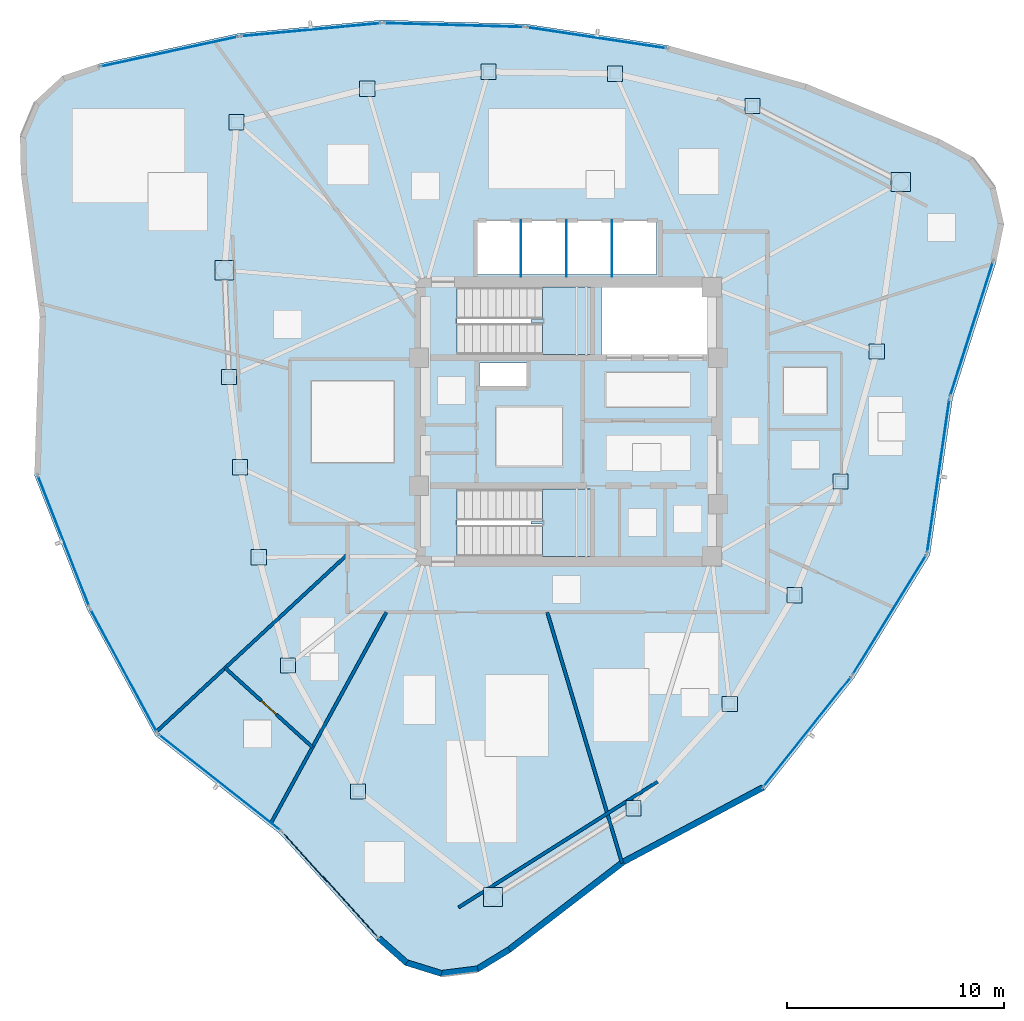
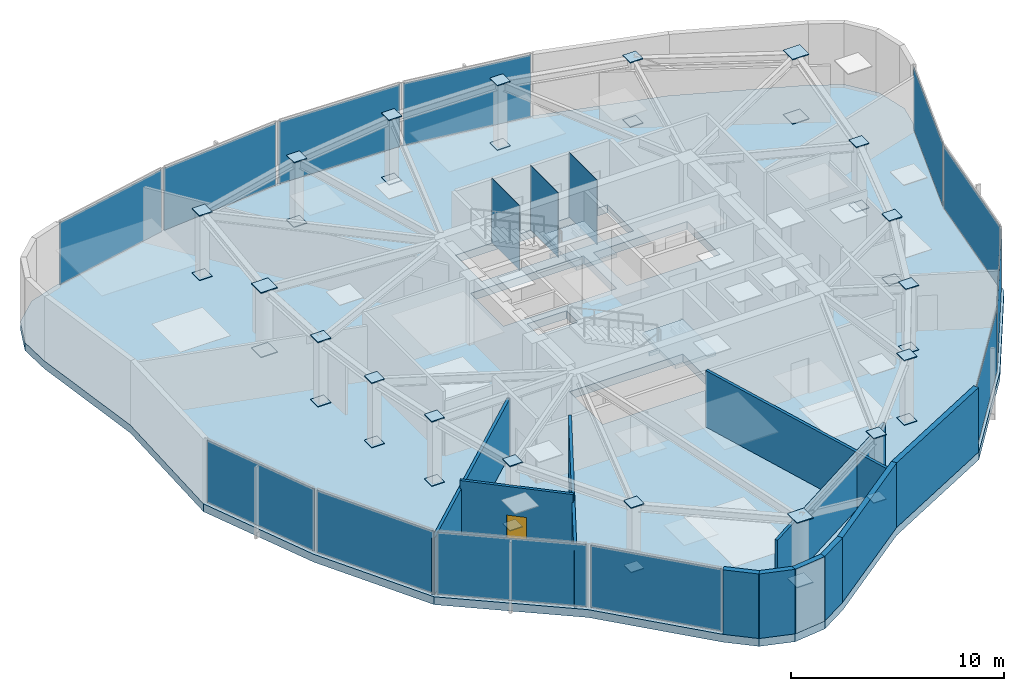
# One storey, part 8 of 14: 51 plates, 11 walls, 3 slabs, 1 door, 1 opening, 14 elements without a shape of their own.
"""IFC4 building model written with IfcOpenShell, lengths in metres."""

import ifcopenshell
import ifcopenshell.guid

model = None  # the IFC model being written
_history = None  # IfcOwnerHistory: only IFC2X3 demands one
_inside = {}  # id of a spatial element -> (the spatial element, [elements in it])
_under = {}  # id of a project, library or spatial element -> (it, [spatial elements below it])
_declared = {}  # id of a project -> (the project, [libraries it declares])
_typed = {}  # id of a type object -> (the type object, [elements of that type])
_made_of = {}  # id of a material, layer set ... -> (it, [elements and type objects made of it])


def new_model(schema):
    """Start an empty IFC model of exactly this schema.

    Asked for "IFC4X3", IfcOpenShell would pick the latest addendum, in which some entities
    have other attributes; the version numbers below select the first issue.
    IFC2X3 requires an IfcOwnerHistory on every rooted entity: one is made here for all.
    """
    global model, _history
    if schema == "IFC4X3":
        model = ifcopenshell.file(schema_version=(4, 3, 0, 0))
    else:
        model = ifcopenshell.file(schema=schema)
    _inside.clear()
    _under.clear()
    _declared.clear()
    _typed.clear()
    _made_of.clear()
    _history = None
    if model.schema == "IFC2X3":
        org = make("IfcOrganization", Name="unknown")
        user = make(
            "IfcPersonAndOrganization",
            ThePerson=make("IfcPerson", FamilyName="unknown"),
            TheOrganization=org,
        )
        app = make(
            "IfcApplication",
            ApplicationDeveloper=org,
            Version="unknown",
            ApplicationFullName="unknown",
            ApplicationIdentifier="unknown",
        )
        _history = make(
            "IfcOwnerHistory",
            OwningUser=user,
            OwningApplication=app,
            ChangeAction="ADDED",
            CreationDate=0,
        )
    return model


def make(cls, **values):
    """One entity of the class cls with the attributes given. An attribute that is None is left unset."""
    return model.create_entity(
        cls, **{name: value for name, value in values.items() if value is not None}
    )


def rooted(cls, **values):
    """An entity with a GlobalId (a new one), such as an element, a storey or a relation."""
    return make(cls, GlobalId=ifcopenshell.guid.new(), OwnerHistory=_history, **values)


def si_unit(unit_type, name, prefix=None):
    """IfcSIUnit, for example si_unit("LENGTHUNIT", "METRE", prefix="MILLI")."""
    return make("IfcSIUnit", UnitType=unit_type, Prefix=prefix, Name=name)


def assignment(units):
    """IfcUnitAssignment: the units of a project."""
    return None if units is None else make("IfcUnitAssignment", Units=units)


def point(xyz):
    """IfcCartesianPoint."""
    return None if xyz is None else make("IfcCartesianPoint", Coordinates=xyz)


def direction(xyz):
    """IfcDirection."""
    return None if xyz is None else make("IfcDirection", DirectionRatios=xyz)


def frame(location, z_axis=None, x_axis=None):
    """IfcAxis2Placement3D, a coordinate frame: its origin and axes. An axis left out is left unset."""
    return make(
        "IfcAxis2Placement3D",
        Location=point(location),
        Axis=direction(z_axis),
        RefDirection=direction(x_axis),
    )


def frame_2d(location, x_axis=None):
    """IfcAxis2Placement2D, a coordinate frame in the plane: its origin and x axis."""
    return make(
        "IfcAxis2Placement2D", Location=point(location), RefDirection=direction(x_axis)
    )


def origin():
    """The frame at (0, 0, 0) with its axes left unset."""
    return frame((0.0, 0.0, 0.0))


def origin_2d():
    """The frame at (0, 0) in the plane with its x axis left unset."""
    return frame_2d((0.0, 0.0))


def place(relative_to, where):
    """IfcLocalPlacement: puts the frame where relative to a parent placement (None: the world)."""
    return make(
        "IfcLocalPlacement", PlacementRelTo=relative_to, RelativePlacement=where
    )


def context(
    kind, dimensions, precision=None, world=None, true_north=None, identifier=None
):
    """IfcGeometricRepresentationContext, for example the 3D "Model" context."""
    return make(
        "IfcGeometricRepresentationContext",
        ContextIdentifier=identifier,
        ContextType=kind,
        CoordinateSpaceDimension=dimensions,
        Precision=precision,
        WorldCoordinateSystem=world,
        TrueNorth=true_north,
    )


def subcontext(parent, identifier, kind, view, scale=None):
    """IfcGeometricRepresentationSubContext, for example "Body" below "Model"."""
    return make(
        "IfcGeometricRepresentationSubContext",
        ContextIdentifier=identifier,
        ContextType=kind,
        ParentContext=parent,
        TargetScale=scale,
        TargetView=view,
    )


def project(units=None, contexts=None):
    """IfcProject with its units and contexts."""
    return rooted(
        "IfcProject",
        Name="project",
        RepresentationContexts=contexts,
        UnitsInContext=assignment(units),
    )


def spatial(cls, under=None, at=None, **own):
    """A site, building, storey or space (cls), placed at a placement, below another one or the project."""
    s = rooted(cls, ObjectPlacement=at, **own)
    if under is not None:
        _under.setdefault(under.id(), (under, []))[1].append(s)
    return s


def polyline(points):
    """IfcPolyline through the points."""
    return make("IfcPolyline", Points=[point(p) for p in points])


def profile(cls, at=None, kind="AREA", **sizes):
    """A parametric profile (cls). Its sizes go by their IFC names, for example OverallWidth=200.0."""
    return make(cls, ProfileType=kind, Position=at, **sizes)


def rectangle(**sizes):
    """IfcRectangleProfileDef."""
    return profile("IfcRectangleProfileDef", **sizes)


def outline(outer, holes=None, kind="AREA"):
    """IfcArbitraryClosedProfileDef: a profile drawn as a closed curve; with holes, ...WithVoids."""
    if holes is None:
        return make("IfcArbitraryClosedProfileDef", ProfileType=kind, OuterCurve=outer)
    return make(
        "IfcArbitraryProfileDefWithVoids",
        ProfileType=kind,
        OuterCurve=outer,
        InnerCurves=holes,
    )


def extrude(swept, where, along, depth):
    """IfcExtrudedAreaSolid: the profile swept, set in the frame where, extruded along a direction by depth."""
    return make(
        "IfcExtrudedAreaSolid",
        SweptArea=swept,
        Position=where,
        ExtrudedDirection=direction(along),
        Depth=depth,
    )


def shape(context_of_items, identifier, shape_type, items):
    """IfcShapeRepresentation: the items that make up one representation, for example the "Body"."""
    return make(
        "IfcShapeRepresentation",
        ContextOfItems=context_of_items,
        RepresentationIdentifier=identifier,
        RepresentationType=shape_type,
        Items=items,
    )


def source(mapping_origin, context_of_items, identifier, shape_type, items):
    """IfcRepresentationMap: a shape defined once, which mapped items show again and again."""
    return make(
        "IfcRepresentationMap",
        MappingOrigin=mapping_origin,
        MappedRepresentation=shape(context_of_items, identifier, shape_type, items),
    )


def transform(
    local_origin,
    x_axis=None,
    y_axis=None,
    z_axis=None,
    scale=None,
    scale2=None,
    scale3=None,
    uniform=True,
):
    """IfcCartesianTransformationOperator3D, or its non-uniform kind. x_axis, y_axis, z_axis: its Axis1, 2, 3."""
    if uniform:
        return make(
            "IfcCartesianTransformationOperator3D",
            Axis1=direction(x_axis),
            Axis2=direction(y_axis),
            LocalOrigin=point(local_origin),
            Scale=scale,
            Axis3=direction(z_axis),
        )
    return make(
        "IfcCartesianTransformationOperator3DnonUniform",
        Axis1=direction(x_axis),
        Axis2=direction(y_axis),
        LocalOrigin=point(local_origin),
        Scale=scale,
        Axis3=direction(z_axis),
        Scale2=scale2,
        Scale3=scale3,
    )


def mapped(mapping_source, mapping_target):
    """IfcMappedItem: shows the shape of a source again, moved by a transform."""
    return make(
        "IfcMappedItem", MappingSource=mapping_source, MappingTarget=mapping_target
    )


def material(Name=None, Category=None):
    """IfcMaterial."""
    return make("IfcMaterial", Name=Name, Category=Category)


def layer(
    of_material, thickness, ventilated=None, Name=None, Category=None, Priority=None
):
    """IfcMaterialLayer: one layer of a wall or slab, of a material (None: an air gap)."""
    return make(
        "IfcMaterialLayer",
        Material=of_material,
        LayerThickness=thickness,
        IsVentilated=ventilated,
        Name=Name,
        Category=Category,
        Priority=Priority,
    )


def layer_set(layers, Name=None):
    """IfcMaterialLayerSet."""
    return make("IfcMaterialLayerSet", MaterialLayers=layers, LayerSetName=Name)


def made_of(thing, what):
    """Note that an element or type object is made of a material, layer set ...; save() writes the relation."""
    if what is not None:
        _made_of.setdefault(what.id(), (what, []))[1].append(thing)
    return thing


def type_object(cls, material=None, **own):
    """A type object (cls), such as IfcWallType, which elements share."""
    return made_of(rooted(cls, **own), material)


def type_shapes(of_type, sources):
    """Give a type object the sources (RepresentationMaps) that its elements show as mapped items."""
    of_type.RepresentationMaps = sources


def element(
    cls,
    number,
    at=None,
    inside=None,
    cuts=None,
    type_object=None,
    material=None,
    context=None,
    identifier="Body",
    shape_type=None,
    held_by="IfcProductDefinitionShape",
    body=None,
    shapes=None,
    **own,
):
    """One element of the class cls, such as IfcWall. Its Tag is "e" and its number.

    at: its placement. inside: the storey or other place that contains it. cuts: it is an
    opening in that element (IfcRelVoidsElement). A single representation is given by context,
    identifier, shape_type and body (its items); several are given by shapes. held_by: the class
    of the entity that holds the representations. save() writes the other relations.
    """
    e = rooted(cls, Tag="e%d" % number, ObjectPlacement=at, **own)
    if body is not None:
        shapes = [shape(context, identifier, shape_type, body)]
    if shapes is not None:
        e.Representation = make(held_by, Representations=shapes)
    if inside is not None:
        _inside.setdefault(inside.id(), (inside, []))[1].append(e)
    if cuts is not None:
        rooted(
            "IfcRelVoidsElement", RelatingBuildingElement=cuts, RelatedOpeningElement=e
        )
    if type_object is not None:
        _typed.setdefault(type_object.id(), (type_object, []))[1].append(e)
    return made_of(e, material)


def fill(opening, filler):
    """IfcRelFillsElement: the door or window that sits in an opening."""
    return rooted(
        "IfcRelFillsElement",
        RelatingOpeningElement=opening,
        RelatedBuildingElement=filler,
    )


def aggregate(whole, parts):
    """IfcRelAggregates: a whole, such as a stair, and the parts it consists of."""
    return rooted("IfcRelAggregates", RelatingObject=whole, RelatedObjects=parts)


def save(model, path):
    """Write the relations noted so far, then the file.

    IfcRelAggregates (storeys below a building ...), IfcRelContainedInSpatialStructure (elements
    in a storey), IfcRelDefinesByType, IfcRelAssociatesMaterial and IfcRelDeclares: one each for
    every whole, place, type object, material and project.
    """
    for whole, parts in _under.values():
        aggregate(whole, parts)
    for where, things in _inside.values():
        rooted(
            "IfcRelContainedInSpatialStructure",
            RelatedElements=things,
            RelatingStructure=where,
        )
    for kind, things in _typed.values():
        rooted("IfcRelDefinesByType", RelatedObjects=things, RelatingType=kind)
    for what, things in _made_of.values():
        rooted("IfcRelAssociatesMaterial", RelatedObjects=things, RelatingMaterial=what)
    for by, libraries in _declared.values():
        rooted("IfcRelDeclares", RelatingContext=by, RelatedDefinitions=libraries)
    model.write(path)


model = new_model("IFC4")

# Units and contexts
model_context = context("Model", 3, precision=1e-05, world=origin(), true_north=direction((0.0, 1.0)))
body_context = subcontext(model_context, "Body", "Model", "MODEL_VIEW")
ifc_project = project(units=[si_unit("LENGTHUNIT", "METRE"), si_unit("AREAUNIT", "SQUARE_METRE"), si_unit("VOLUMEUNIT", "CUBIC_METRE"), si_unit("PLANEANGLEUNIT", "RADIAN"), si_unit("MASSUNIT", "GRAM", prefix="KILO")], contexts=[model_context])

# Site, building, storey
site_placement = place(None, origin())
site = spatial("IfcSite", under=ifc_project, at=site_placement, CompositionType="ELEMENT")
building_placement = place(site_placement, origin())
building = spatial("IfcBuilding", under=site, at=building_placement, Name="Tavelor Broadcast Tower", CompositionType="ELEMENT")
storey_placement = place(building_placement, frame((0.0, 0.0, 273.5)))
storey = spatial("IfcBuildingStorey", under=building, at=storey_placement, Name="L65", CompositionType="ELEMENT", Elevation=273.5)

# Stair, slab
ifc_material_1 = material(Name="Concrete C40/50", Category="concrete")
stair_type = type_object("IfcStairType", Name="Reinforced Concrete Protected Dogleg Stair 1450 mm", PredefinedType="HALF_TURN_STAIR", material=ifc_material_1)
stair_1_placement = place(storey_placement, origin())
stair_1 = element("IfcStair", 1, at=stair_1_placement, inside=storey, type_object=stair_type, Name="L65 Protected Core Exit Stair ST1", PredefinedType="HALF_TURN_STAIR")
ifc_layer_1 = layer(ifc_material_1, 0.199951171875)
ifc_layer_set_1 = layer_set([ifc_layer_1], Name="Concrete C40/50")
slab_type_1 = type_object("IfcSlabType", Name="Reinforced Concrete Stair Half-Landing Slab 200 mm", PredefinedType="LANDING", material=ifc_layer_set_1)
slab_1_placement = place(storey_placement, frame((0.0, 0.0, 1.800048828125)))
slab_1 = element("IfcSlab", 2, at=slab_1_placement, type_object=slab_type_1, Name="ST1 landing 1", PredefinedType="LANDING", context=body_context, shape_type="SweptSolid", body=[
    extrude(outline(polyline([(48.804931640625, 49.590087890625), (48.804931640625, 48.094970703125), (51.0048828125, 48.094970703125), (51.0048828125, 51.205078125), (48.804931640625, 51.205078125), (48.804931640625, 49.7099609375), (48.264892578125, 49.7099609375), (48.264892578125, 49.590087890625), (48.804931640625, 49.590087890625)])), origin(), (0.0, 0.0, 1.0), 0.199951171875),
])
aggregate(stair_1, [slab_1])

stair_2_placement = place(storey_placement, origin())
stair_2 = element("IfcStair", 3, at=stair_2_placement, inside=storey, type_object=stair_type, Name="L65 Protected Core Exit Stair ST2", PredefinedType="HALF_TURN_STAIR")
slab_2_placement = place(storey_placement, frame((0.0, 0.0, 1.800048828125)))
slab_2 = element("IfcSlab", 4, at=slab_2_placement, type_object=slab_type_1, Name="ST2 landing 1", PredefinedType="LANDING", context=body_context, shape_type="SweptSolid", body=[
    extrude(outline(polyline([(48.804931640625, 40.2900390625), (48.804931640625, 38.794921875), (51.0048828125, 38.794921875), (51.0048828125, 41.905029296875), (48.804931640625, 41.905029296875), (48.804931640625, 40.409912109375), (48.264892578125, 40.409912109375), (48.264892578125, 40.2900390625), (48.804931640625, 40.2900390625)])), origin(), (0.0, 0.0, 1.0), 0.199951171875),
])
aggregate(stair_2, [slab_2])

# Slab
ifc_layer_2 = layer(ifc_material_1, 0.449951171875)
ifc_layer_set_2 = layer_set([ifc_layer_2], Name="Concrete C40/50")
slab_type_2 = type_object("IfcSlabType", Name="Transfer Structural Floor Slab 450 mm", PredefinedType="FLOOR", material=ifc_layer_set_2)
slab_3_placement = place(storey_placement, frame((0.0, 0.0, -0.449951171875)))
element("IfcSlab", 5, at=slab_3_placement, inside=storey, type_object=slab_type_2, Name="L65 Structural Floor Slab", PredefinedType="FLOOR", context=body_context, shape_type="SweptSolid", body=[
    extrude(outline(polyline([(28.3212890625, 61.50146484375), (26.668212890625, 60.949951171875), (25.388427734375, 59.76708984375), (24.708984375, 58.16259765625), (24.75, 56.42041015625), (25.61865234375, 49.844482421875), (25.37158203125, 42.5380859375), (27.79443359375, 36.363525390625), (30.94677734375, 30.527587890625), (36.686767578125, 26.000244140625), (41.148681640625, 21.092529296875), (42.452880859375, 19.936767578125), (44.116943359375, 19.419921875), (45.846435546875, 19.6337890625), (47.334716796875, 20.54052734375), (52.59521484375, 24.580322265625), (59.046142578125, 28.019775390625), (63.18212890625, 33.205322265625), (66.66015625, 38.853271484375), (67.7109375, 46.087890625), (69.72998046875, 52.406005859375), (70.0791015625, 54.11328125), (69.6943359375, 55.81298828125), (68.64453125, 57.20361328125), (67.115234375, 58.039306640625), (60.986328125, 60.574951171875), (54.595458984375, 62.350341796875), (48.03662109375, 63.33935546875), (41.406494140625, 63.52734375), (34.80224609375, 62.911865234375), (28.3212890625, 61.50146484375)]), holes=[polyline([(50.99609375, 41.89599609375), (50.99609375, 38.803955078125), (44.85400390625, 38.803955078125), (44.85400390625, 41.89599609375), (50.99609375, 41.89599609375)]), polyline([(48.050048828125, 47.699951171875), (48.050048828125, 46.64990234375), (45.89990234375, 46.64990234375), (45.89990234375, 47.699951171875), (48.050048828125, 47.699951171875)]), polyline([(50.99609375, 51.196044921875), (50.99609375, 48.10400390625), (44.85400390625, 48.10400390625), (44.85400390625, 51.196044921875), (50.99609375, 51.196044921875)]), polyline([(56.60009765625, 48.10009765625), (51.52001953125, 48.10009765625), (51.52001953125, 51.199951171875), (56.60009765625, 51.199951171875), (56.60009765625, 48.10009765625)]), polyline([(54.050048828125, 51.800048828125), (45.800048828125, 51.800048828125), (45.800048828125, 54.25), (54.050048828125, 54.25), (54.050048828125, 51.800048828125)])]), origin(), (0.0, 0.0, 1.0), 0.449951171875),
])

# Plates
ifc_material_2 = material(Name="Steel S460", Category="steel")
ifc_layer_3 = layer(ifc_material_2, 0.050048828125)
ifc_layer_set_3 = layer_set([ifc_layer_3], Name="Steel S460")
plate_type_1 = type_object("IfcPlateType", Name="Tube Hollow-End Cap Plate KN05 700x700x50", PredefinedType="USERDEFINED", material=ifc_layer_set_3)
shared_shape_1 = source(origin(), body_context, "Body", "SweptSolid", [
    extrude(rectangle(XDim=0.699951171875, YDim=0.699951171875, at=origin_2d()), origin(), (0.0, 0.0, 1.0), 0.054931640625),
])
for number, where, z_axis, x_axis, name in (
    (6, (34.341552734375, 47.061279296875, -0.02734375), (0.0, 0.0, 1.0), (1.0, 0.0, 0.0), "L65 Hollow End Cap Plate KN05 #1923"),
    (7, (34.341552734375, 47.061279296875, 3.67236328125), (0.0, 0.0, 1.0), (1.0, 0.0, 0.0), "L65 Hollow End Cap Plate KN05 #1924"),
    (8, (34.85400390625, 42.90185546875, -0.02734375), (0.0, 0.0, 1.0), (1.0, 0.0, 0.0), "L65 Hollow End Cap Plate KN05 #1925"),
    (9, (34.85400390625, 42.90185546875, 3.67236328125), (0.0, 0.0, 1.0), (1.0, 0.0, 0.0), "L65 Hollow End Cap Plate KN05 #1926"),
    (10, (35.716552734375, 38.757080078125, -0.02734375), (0.0, 0.0, 1.0), (1.0, 0.0, 0.0), "L65 Hollow End Cap Plate KN05 #1927"),
    (11, (35.716552734375, 38.757080078125, 3.67236328125), (0.0, 0.0, 1.0), (1.0, 0.0, 0.0), "L65 Hollow End Cap Plate KN05 #1928"),
    (12, (37.068115234375, 33.759521484375, -0.02734375), (0.0, 0.0, 1.0), (1.0, 0.0, 0.0), "L65 Hollow End Cap Plate KN05 #1929"),
    (13, (37.068115234375, 33.759521484375, 3.67236328125), (0.0, 0.0, 1.0), (1.0, 0.0, 0.0), "L65 Hollow End Cap Plate KN05 #1930"),
    (14, (40.29638671875, 27.95361328125, -0.02734375), (0.0, 0.0, 1.0), (1.0, 0.0, 0.0), "L65 Hollow End Cap Plate KN05 #1931"),
    (15, (40.29638671875, 27.95361328125, 3.67236328125), (0.0, 0.0, 1.0), (1.0, 0.0, 0.0), "L65 Hollow End Cap Plate KN05 #1932"),
    (16, (52.992919921875, 27.1767578125, -0.02734375), (0.0, 0.0, 1.0), (1.0, 0.0, 0.0), "L65 Hollow End Cap Plate KN05 #1935"),
    (17, (52.992919921875, 27.1767578125, 3.67236328125), (0.0, 0.0, 1.0), (1.0, 0.0, 0.0), "L65 Hollow End Cap Plate KN05 #1936"),
    (18, (57.431396484375, 31.9921875, -0.02734375), (0.0, 0.0, 1.0), (1.0, 0.0, 0.0), "L65 Hollow End Cap Plate KN05 #1937"),
    (19, (57.431396484375, 31.9921875, 3.67236328125), (0.0, 0.0, 1.0), (1.0, 0.0, 0.0), "L65 Hollow End Cap Plate KN05 #1938"),
    (20, (60.41748046875, 37.00439453125, -0.02734375), (0.0, 0.0, 1.0), (1.0, 0.0, 0.0), "L65 Hollow End Cap Plate KN05 #1939"),
    (21, (60.41748046875, 37.00439453125, 3.67236328125), (0.0, 0.0, 1.0), (1.0, 0.0, 0.0), "L65 Hollow End Cap Plate KN05 #1940"),
    (22, (62.543701171875, 42.240478515625, -0.02734375), (0.0, 0.0, 1.0), (1.0, 0.0, 0.0), "L65 Hollow End Cap Plate KN05 #1941"),
    (23, (62.543701171875, 42.240478515625, 3.67236328125), (0.0, 0.0, 1.0), (1.0, 0.0, 0.0), "L65 Hollow End Cap Plate KN05 #1942"),
    (24, (64.21435546875, 48.2373046875, -0.02734375), (0.0, 0.0, 1.0), (1.0, 0.0, 0.0), "L65 Hollow End Cap Plate KN05 #1943"),
    (25, (64.21435546875, 48.2373046875, 3.67236328125), (0.0, 0.0, 1.0), (1.0, 0.0, 0.0), "L65 Hollow End Cap Plate KN05 #1944"),
    (26, (58.485595703125, 59.55712890625, -0.02734375), (0.0, 0.0, 1.0), (1.0, 0.0, 0.0), "L65 Hollow End Cap Plate KN05 #1947"),
    (27, (58.485595703125, 59.55712890625, 3.67236328125), (0.0, 0.0, 1.0), (1.0, 0.0, 0.0), "L65 Hollow End Cap Plate KN05 #1948"),
    (28, (52.147216796875, 61.05078125, -0.02734375), (0.0, 0.0, 1.0), (1.0, 0.0, 0.0), "L65 Hollow End Cap Plate KN05 #1949"),
    (29, (52.147216796875, 61.05078125, 3.67236328125), (0.0, 0.0, 1.0), (1.0, 0.0, 0.0), "L65 Hollow End Cap Plate KN05 #1950"),
    (30, (46.3154296875, 61.13720703125, -0.02734375), (0.0, 0.0, 1.0), (1.0, 0.0, 0.0), "L65 Hollow End Cap Plate KN05 #1951"),
    (31, (46.3154296875, 61.13720703125, 3.67236328125), (0.0, 0.0, 1.0), (1.0, 0.0, 0.0), "L65 Hollow End Cap Plate KN05 #1952"),
    (32, (40.718017578125, 60.36083984375, -0.02734375), (0.0, 0.0, 1.0), (1.0, 0.0, 0.0), "L65 Hollow End Cap Plate KN05 #1953"),
    (33, (40.718017578125, 60.36083984375, 3.67236328125), (0.0, 0.0, 1.0), (1.0, 0.0, 0.0), "L65 Hollow End Cap Plate KN05 #1954"),
    (34, (34.689208984375, 58.80908203125, -0.02734375), (0.0, 0.0, 1.0), (1.0, 0.0, 0.0), "L65 Hollow End Cap Plate KN05 #1955"),
    (35, (34.689208984375, 58.80908203125, 3.67236328125), (0.0, 0.0, 1.0), (1.0, 0.0, 0.0), "L65 Hollow End Cap Plate KN05 #1956"),
):
    element("IfcPlate", number, at=place(storey_placement, frame(where, z_axis=z_axis, x_axis=x_axis)), inside=storey, type_object=plate_type_1, Name=name, ObjectType="CAP PLATE", PredefinedType="USERDEFINED", context=body_context, shape_type="MappedRepresentation", body=[
        mapped(shared_shape_1, transform((0.0, 0.0, 0.0), scale=1.0)),
    ])
shared_shape_2 = source(origin(), body_context, "Body", "SweptSolid", [
    extrude(rectangle(XDim=0.89306640625, YDim=0.89306640625, at=origin_2d()), origin(), (0.0, 0.0, 1.0), 0.054931640625),
])
type_shapes(plate_type_1, [shared_shape_1, shared_shape_2])
for number, where, z_axis, x_axis, name in (
    (36, (34.134765625, 51.995849609375, -0.02734375), (0.0, 0.0, 1.0), (1.0, 0.0, 0.0), "L65 Hollow End Cap Plate KN05 #1921"),
    (37, (34.134765625, 51.995849609375, 3.67236328125), (0.0, 0.0, 1.0), (1.0, 0.0, 0.0), "L65 Hollow End Cap Plate KN05 #1922"),
    (38, (46.5146484375, 23.08740234375, -0.02734375), (0.0, 0.0, 1.0), (1.0, 0.0, 0.0), "L65 Hollow End Cap Plate KN05 #1933"),
    (39, (46.5146484375, 23.08740234375, 3.67236328125), (0.0, 0.0, 1.0), (1.0, 0.0, 0.0), "L65 Hollow End Cap Plate KN05 #1934"),
    (40, (65.319580078125, 56.0556640625, -0.02734375), (0.0, 0.0, 1.0), (1.0, 0.0, 0.0), "L65 Hollow End Cap Plate KN05 #1945"),
    (41, (65.319580078125, 56.0556640625, 3.67236328125), (0.0, 0.0, 1.0), (1.0, 0.0, 0.0), "L65 Hollow End Cap Plate KN05 #1946"),
):
    element("IfcPlate", number, at=place(storey_placement, frame(where, z_axis=z_axis, x_axis=x_axis)), inside=storey, type_object=plate_type_1, Name=name, ObjectType="CAP PLATE", PredefinedType="USERDEFINED", context=body_context, shape_type="MappedRepresentation", body=[
        mapped(shared_shape_2, transform((0.0, 0.0, 0.0), scale=1.0)),
    ])
ifc_material_3 = material(Name="Steel S355", Category="steel")
ifc_layer_4 = layer(ifc_material_3, 0.011962890625)
ifc_layer_set_4 = layer_set([ifc_layer_4], Name="Steel S355")
plate_type_2 = type_object("IfcPlateType", Name="Hoistway Steel Separator Screen 12 mm", PredefinedType="SHEET", material=ifc_layer_set_4)
shared_shape_3 = source(origin(), body_context, "Body", "SweptSolid", [
    extrude(rectangle(XDim=0.02001953125, YDim=2.6201171875, at=origin_2d()), origin(), (0.0, 0.0, 1.0), 3.699951171875),
])
type_shapes(plate_type_2, [shared_shape_3])
for number, where, z_axis, x_axis, name in (
    (42, (47.800048828125, 52.989990234375, 0.0), (0.0, 0.0, 1.0), (1.0, 0.0, 0.0), "L65 High-Rise Hoistway Separator Screen 1"),
    (43, (49.89990234375, 52.989990234375, 0.0), (0.0, 0.0, 1.0), (1.0, 0.0, 0.0), "L65 High-Rise Hoistway Separator Screen 2"),
    (44, (52.0, 52.989990234375, 0.0), (0.0, 0.0, 1.0), (1.0, 0.0, 0.0), "L65 High-Rise Hoistway Separator Screen 3"),
):
    element("IfcPlate", number, at=place(storey_placement, frame(where, z_axis=z_axis, x_axis=x_axis)), inside=storey, type_object=plate_type_2, Name=name, PredefinedType="SHEET", context=body_context, shape_type="MappedRepresentation", body=[
        mapped(shared_shape_3, transform((0.0, 0.0, 0.0), scale=1.0)),
    ])

# Curtain wall, plate
ifc_material_4 = material(Name="Architectural Anodized Aluminium", Category="aluminium")
ifc_layer_5 = layer(ifc_material_4, 0.199951171875)
ifc_layer_set_5 = layer_set([ifc_layer_5], Name="Architectural Anodized Aluminium")
curtain_wall_type = type_object("IfcCurtainWallType", Name="Tower High-Zone Triple-Glazed Curtain Wall CW04", PredefinedType="NOTDEFINED", material=ifc_layer_set_5)
curtain_wall_1_placement = place(storey_placement, origin())
curtain_wall_1 = element("IfcCurtainWall", 45, at=curtain_wall_1_placement, inside=storey, type_object=curtain_wall_type, Name="L65 Curtain Wall CW04 Run 709", PredefinedType="NOTDEFINED")
ifc_material_5 = material(Name="High-Altitude Triple Glazing 36 mm", Category="glass")
ifc_layer_6 = layer(ifc_material_5, 0.035888671875)
ifc_layer_set_6 = layer_set([ifc_layer_6], Name="High-Altitude Triple Glazing 36 mm")
plate_type_3 = type_object("IfcPlateType", Name="CW04 Insulated Vision Glazing Panel 36 mm", PredefinedType="CURTAIN_PANEL", material=ifc_layer_set_6)
shared_shape_4 = source(origin(), body_context, "Body", "SweptSolid", [
    extrude(rectangle(XDim=6.4404296875, YDim=0.035888671875, at=origin_2d()), origin(), (0.0, 0.0, 1.0), 3.56005859375),
])
plate_1_placement = place(storey_placement, frame((26.71435546875, 39.49951171875, 0.070068359375), z_axis=(0.0, 0.0, 1.0), x_axis=(0.365280438166, -0.9308975247, 0.0)))
plate_1 = element("IfcPlate", 46, at=plate_1_placement, type_object=plate_type_3, Name="CW04 panel 1.1", PredefinedType="CURTAIN_PANEL", context=body_context, shape_type="MappedRepresentation", body=[
    mapped(shared_shape_4, transform((0.0, 0.0, 0.0), scale=1.0)),
])
aggregate(curtain_wall_1, [plate_1])

curtain_wall_2_placement = place(storey_placement, origin())
curtain_wall_2 = element("IfcCurtainWall", 47, at=curtain_wall_2_placement, inside=storey, type_object=curtain_wall_type, Name="L65 Curtain Wall CW04 Run 713", PredefinedType="NOTDEFINED")
plate_2_placement = place(storey_placement, frame((61.00634765625, 30.701904296875, 0.070068359375), z_axis=(0.0, 0.0, 1.0), x_axis=(0.623545362871, 0.781787170809, 0.0)))
plate_2 = element("IfcPlate", 48, at=plate_2_placement, type_object=plate_type_3, Name="CW04 panel 1.1", PredefinedType="CURTAIN_PANEL", context=body_context, shape_type="MappedRepresentation", body=[
    mapped(shared_shape_4, transform((0.0, 0.0, 0.0), scale=1.0)),
])
aggregate(curtain_wall_2, [plate_2])

curtain_wall_3_placement = place(storey_placement, origin())
curtain_wall_3 = element("IfcCurtainWall", 49, at=curtain_wall_3_placement, inside=storey, type_object=curtain_wall_type, Name="L65 Curtain Wall CW04 Run 710", PredefinedType="NOTDEFINED")
shared_shape_5 = source(origin(), body_context, "Body", "SweptSolid", [
    extrude(rectangle(XDim=6.425537109375, YDim=0.035888671875, at=origin_2d()), origin(), (0.0, 0.0, 1.0), 3.56005859375),
])
plate_3_placement = place(storey_placement, frame((29.489013671875, 33.521240234375, 0.070068359375), z_axis=(0.0, 0.0, 1.0), x_axis=(0.475247497836, -0.879852155649, 0.0)))
plate_3 = element("IfcPlate", 50, at=plate_3_placement, type_object=plate_type_3, Name="CW04 panel 1.1", PredefinedType="CURTAIN_PANEL", context=body_context, shape_type="MappedRepresentation", body=[
    mapped(shared_shape_5, transform((0.0, 0.0, 0.0), scale=1.0)),
])
aggregate(curtain_wall_3, [plate_3])

curtain_wall_4_placement = place(storey_placement, origin())
curtain_wall_4 = element("IfcCurtainWall", 51, at=curtain_wall_4_placement, inside=storey, type_object=curtain_wall_type, Name="L65 Curtain Wall CW04 Run 714", PredefinedType="NOTDEFINED")
plate_4_placement = place(storey_placement, frame((64.79638671875, 36.093994140625, 0.070068359375), z_axis=(0.0, 0.0, 1.0), x_axis=(0.524350646357, 0.851502436676, 0.0)))
plate_4 = element("IfcPlate", 52, at=plate_4_placement, type_object=plate_type_3, Name="CW04 panel 1.1", PredefinedType="CURTAIN_PANEL", context=body_context, shape_type="MappedRepresentation", body=[
    mapped(shared_shape_5, transform((0.0, 0.0, 0.0), scale=1.0)),
])
aggregate(curtain_wall_4, [plate_4])

curtain_wall_5_placement = place(storey_placement, origin())
curtain_wall_5 = element("IfcCurtainWall", 53, at=curtain_wall_5_placement, inside=storey, type_object=curtain_wall_type, Name="L65 Curtain Wall CW04 Run 711", PredefinedType="NOTDEFINED")
shared_shape_6 = source(origin(), body_context, "Body", "SweptSolid", [
    extrude(rectangle(XDim=7.123291015625, YDim=0.035888671875, at=origin_2d()), origin(), (0.0, 0.0, 1.0), 3.56005859375),
])
plate_5_placement = place(storey_placement, frame((33.91943359375, 28.361328125, 0.070068359375), z_axis=(0.0, 0.0, 1.0), x_axis=(0.785156515184, -0.619297381444, 0.0)))
plate_5 = element("IfcPlate", 54, at=plate_5_placement, type_object=plate_type_3, Name="CW04 panel 1.1", PredefinedType="CURTAIN_PANEL", context=body_context, shape_type="MappedRepresentation", body=[
    mapped(shared_shape_6, transform((0.0, 0.0, 0.0), scale=1.0)),
])
aggregate(curtain_wall_5, [plate_5])

curtain_wall_6_placement = place(storey_placement, origin())
curtain_wall_6 = element("IfcCurtainWall", 55, at=curtain_wall_6_placement, inside=storey, type_object=curtain_wall_type, Name="L65 Curtain Wall CW04 Run 715", PredefinedType="NOTDEFINED")
plate_6_placement = place(storey_placement, frame((67.0498046875, 42.5107421875, 0.070068359375), z_axis=(0.0, 0.0, 1.0), x_axis=(0.143735888377, 0.989616084344, 0.0)))
plate_6 = element("IfcPlate", 56, at=plate_6_placement, type_object=plate_type_3, Name="CW04 panel 1.1", PredefinedType="CURTAIN_PANEL", context=body_context, shape_type="MappedRepresentation", body=[
    mapped(shared_shape_6, transform((0.0, 0.0, 0.0), scale=1.0)),
])
aggregate(curtain_wall_6, [plate_6])

curtain_wall_7_placement = place(storey_placement, origin())
curtain_wall_7 = element("IfcCurtainWall", 57, at=curtain_wall_7_placement, inside=storey, type_object=curtain_wall_type, Name="L65 Curtain Wall CW04 Run 712", PredefinedType="NOTDEFINED")
shared_shape_7 = source(origin(), body_context, "Body", "SweptSolid", [
    extrude(rectangle(XDim=6.48193359375, YDim=0.035888671875, at=origin_2d()), origin(), (0.0, 0.0, 1.0), 3.56005859375),
])
plate_7_placement = place(storey_placement, frame((39.02001953125, 23.64208984375, 0.070068359375), z_axis=(0.0, 0.0, 1.0), x_axis=(0.67269910172, -0.739916156429, 0.0)))
plate_7 = element("IfcPlate", 58, at=plate_7_placement, type_object=plate_type_3, Name="CW04 panel 1.1", PredefinedType="CURTAIN_PANEL", context=body_context, shape_type="MappedRepresentation", body=[
    mapped(shared_shape_7, transform((0.0, 0.0, 0.0), scale=1.0)),
])
aggregate(curtain_wall_7, [plate_7])

curtain_wall_8_placement = place(storey_placement, origin())
curtain_wall_8 = element("IfcCurtainWall", 59, at=curtain_wall_8_placement, inside=storey, type_object=curtain_wall_type, Name="L65 Curtain Wall CW04 Run 716", PredefinedType="NOTDEFINED")
shared_shape_8 = source(origin(), body_context, "Body", "SweptSolid", [
    extrude(rectangle(XDim=6.481689453125, YDim=0.035888671875, at=origin_2d()), origin(), (0.0, 0.0, 1.0), 3.56005859375),
])
plate_8_placement = place(storey_placement, frame((68.58642578125, 49.28759765625, 0.070068359375), z_axis=(0.0, 0.0, 1.0), x_axis=(0.304419534252, 0.952538055495, 0.0)))
plate_8 = element("IfcPlate", 60, at=plate_8_placement, type_object=plate_type_3, Name="CW04 panel 1.1", PredefinedType="CURTAIN_PANEL", context=body_context, shape_type="MappedRepresentation", body=[
    mapped(shared_shape_8, transform((0.0, 0.0, 0.0), scale=1.0)),
])
aggregate(curtain_wall_8, [plate_8])

curtain_wall_9_placement = place(storey_placement, origin())
curtain_wall_9 = element("IfcCurtainWall", 61, at=curtain_wall_9_placement, inside=storey, type_object=curtain_wall_type, Name="L65 Curtain Wall CW04 Run 717", PredefinedType="NOTDEFINED")
shared_shape_9 = source(origin(), body_context, "Body", "SweptSolid", [
    extrude(rectangle(XDim=6.4609375, YDim=0.035888671875, at=origin_2d()), origin(), (0.0, 0.0, 1.0), 3.56005859375),
])
plate_9_placement = place(storey_placement, frame((51.302734375, 62.705322265625, 0.070068359375), z_axis=(0.0, 0.0, 1.0), x_axis=(-0.988819705383, 0.149116029476, 0.0)))
plate_9 = element("IfcPlate", 62, at=plate_9_placement, type_object=plate_type_3, Name="CW04 panel 1.1", PredefinedType="CURTAIN_PANEL", context=body_context, shape_type="MappedRepresentation", body=[
    mapped(shared_shape_9, transform((0.0, 0.0, 0.0), scale=1.0)),
])
aggregate(curtain_wall_9, [plate_9])

curtain_wall_10_placement = place(storey_placement, origin())
curtain_wall_10 = element("IfcCurtainWall", 63, at=curtain_wall_10_placement, inside=storey, type_object=curtain_wall_type, Name="L65 Curtain Wall CW04 Run 718", PredefinedType="NOTDEFINED")
shared_shape_10 = source(origin(), body_context, "Body", "SweptSolid", [
    extrude(rectangle(XDim=6.44580078125, YDim=0.035888671875, at=origin_2d()), origin(), (0.0, 0.0, 1.0), 3.56005859375),
])
plate_10_placement = place(storey_placement, frame((44.717529296875, 63.29345703125, 0.070068359375), z_axis=(0.0, 0.0, 1.0), x_axis=(-0.999598083488, 0.0283491003, 0.0)))
plate_10 = element("IfcPlate", 64, at=plate_10_placement, type_object=plate_type_3, Name="CW04 panel 1.1", PredefinedType="CURTAIN_PANEL", context=body_context, shape_type="MappedRepresentation", body=[
    mapped(shared_shape_10, transform((0.0, 0.0, 0.0), scale=1.0)),
])
aggregate(curtain_wall_10, [plate_10])

curtain_wall_11_placement = place(storey_placement, origin())
curtain_wall_11 = element("IfcCurtainWall", 65, at=curtain_wall_11_placement, inside=storey, type_object=curtain_wall_type, Name="L65 Curtain Wall CW04 Run 719", PredefinedType="NOTDEFINED")
plate_11_placement = place(storey_placement, frame((38.117431640625, 63.080078125, 0.070068359375), z_axis=(0.0, 0.0, 1.0), x_axis=(-0.995684395545, -0.092804011059, 0.0)))
plate_11 = element("IfcPlate", 66, at=plate_11_placement, type_object=plate_type_3, Name="CW04 panel 1.1", PredefinedType="CURTAIN_PANEL", context=body_context, shape_type="MappedRepresentation", body=[
    mapped(shared_shape_10, transform((0.0, 0.0, 0.0), scale=1.0)),
])
aggregate(curtain_wall_11, [plate_11])

curtain_wall_12_placement = place(storey_placement, origin())
curtain_wall_12 = element("IfcCurtainWall", 67, at=curtain_wall_12_placement, inside=storey, type_object=curtain_wall_type, Name="L65 Curtain Wall CW04 Run 720", PredefinedType="NOTDEFINED")
shared_shape_11 = source(origin(), body_context, "Body", "SweptSolid", [
    extrude(rectangle(XDim=6.461669921875, YDim=0.035888671875, at=origin_2d()), origin(), (0.0, 0.0, 1.0), 3.56005859375),
])
type_shapes(plate_type_3, [shared_shape_4, shared_shape_5, shared_shape_6, shared_shape_7, shared_shape_8, shared_shape_9, shared_shape_10, shared_shape_11])
plate_12_placement = place(storey_placement, frame((31.583740234375, 62.068115234375, 0.070068359375), z_axis=(0.0, 0.0, 1.0), x_axis=(-0.9771338275, -0.212625217589, 0.0)))
plate_12 = element("IfcPlate", 68, at=plate_12_placement, type_object=plate_type_3, Name="CW04 panel 1.1", PredefinedType="CURTAIN_PANEL", context=body_context, shape_type="MappedRepresentation", body=[
    mapped(shared_shape_11, transform((0.0, 0.0, 0.0), scale=1.0)),
])
aggregate(curtain_wall_12, [plate_12])

# Walls
ifc_material_6 = material(Name="Precast Concrete C40/50", Category="concrete")
ifc_layer_7 = layer(ifc_material_6, 0.280029296875)
ifc_layer_set_7 = layer_set([ifc_layer_7], Name="Precast Concrete C40/50")
wall_type_1 = type_object("IfcWallType", Name="Insulated Precast Terracotta Facade Wall 280 mm", PredefinedType="STANDARD", material=ifc_layer_set_7)
wall_1_placement = place(storey_placement, frame((41.244140625, 21.19482421875, 0.0), z_axis=(0.0, 0.0, 1.0), x_axis=(0.74838528564, -0.663264249177, 0.0)))
element("IfcWall", 69, at=wall_1_placement, inside=storey, type_object=wall_type_1, Name="L65 Rounded Corner Structural Cladding Pier 11", PredefinedType="STANDARD", context=body_context, shape_type="SweptSolid", body=[
    extrude(rectangle(XDim=1.723876953125, YDim=0.280029296875, at=frame_2d((0.86181640625, 0.0))), origin(), (0.0, 0.0, 1.0), 3.699951171875),
])
for number, where, z_axis, x_axis, name in (
    (70, (42.5087890625, 20.06591796875, 0.0), (0.0, 0.0, 1.0), (0.955011233439, -0.296569627583, 0.0), "L65 Rounded Corner Structural Cladding Pier 12"),
    (71, (44.11474609375, 19.560791015625, 0.0), (0.0, 0.0, 1.0), (0.992437168188, 0.122753685075, 0.0), "L65 Rounded Corner Structural Cladding Pier 13"),
):
    element("IfcWall", number, at=place(storey_placement, frame(where, z_axis=z_axis, x_axis=x_axis)), inside=storey, type_object=wall_type_1, Name=name, PredefinedType="STANDARD", context=body_context, shape_type="SweptSolid", body=[
        extrude(rectangle(XDim=1.71240234375, YDim=0.280029296875, at=frame_2d((0.856201171875, 0.0))), origin(), (0.0, 0.0, 1.0), 3.699951171875),
    ])
wall_2_placement = place(storey_placement, frame((45.78662109375, 19.76123046875, 0.0), z_axis=(0.0, 0.0, 1.0), x_axis=(0.853983788168, 0.520299615171, 0.0)))
element("IfcWall", 72, at=wall_2_placement, inside=storey, type_object=wall_type_1, Name="L65 Rounded Corner Structural Cladding Pier 14", PredefinedType="STANDARD", context=body_context, shape_type="SweptSolid", body=[
    extrude(rectangle(XDim=1.73486328125, YDim=0.280029296875, at=frame_2d((0.867431640625, 0.0))), origin(), (0.0, 0.0, 1.0), 3.699951171875),
])
wall_3_placement = place(storey_placement, frame((47.243408203125, 20.64697265625, 0.0), z_axis=(0.0, 0.0, 1.0), x_axis=(0.793119256527, 0.609066371528, 0.0)))
element("IfcWall", 73, at=wall_3_placement, inside=storey, type_object=wall_type_1, Name="L65 Rounded Corner Structural Cladding Pier 15", PredefinedType="STANDARD", context=body_context, shape_type="SweptSolid", body=[
    extrude(rectangle(XDim=6.666748046875, YDim=0.280029296875, at=frame_2d((3.33349609375, 0.0))), origin(), (0.0, 0.0, 1.0), 3.699951171875),
])
wall_4_placement = place(storey_placement, frame((52.505859375, 24.69140625, 0.0), z_axis=(0.0, 0.0, 1.0), x_axis=(0.882414857541, 0.470472123713, 0.0)))
element("IfcWall", 74, at=wall_4_placement, inside=storey, type_object=wall_type_1, Name="L65 Rounded Corner Structural Cladding Pier 16", PredefinedType="STANDARD", context=body_context, shape_type="SweptSolid", body=[
    extrude(rectangle(XDim=7.312255859375, YDim=0.280029296875, at=frame_2d((3.65625, 0.0))), origin(), (0.0, 0.0, 1.0), 3.699951171875),
])
ifc_material_7 = material(Name="Gypsum Acoustic Plasterboard 150 mm", Category="gypsum")
ifc_layer_8 = layer(ifc_material_7, 0.14990234375)
ifc_layer_set_8 = layer_set([ifc_layer_8], Name="Gypsum Acoustic Plasterboard 150 mm")
wall_type_2 = type_object("IfcWallType", Name="Interior Acoustic Partition Wall 150 mm", PredefinedType="PARTITIONING", material=ifc_layer_set_8)
wall_5_placement = place(storey_placement, frame((44.9267578125, 22.60546875, 0.0), z_axis=(0.0, 0.0, 1.0), x_axis=(0.845624548895, 0.533778158326, 0.0)))
element("IfcWall", 75, at=wall_5_placement, inside=storey, type_object=wall_type_2, Name="L65 Corner Tube Brace Furring Wall 2", PredefinedType="PARTITIONING", context=body_context, shape_type="SweptSolid", body=[
    extrude(rectangle(XDim=10.861083984375, YDim=0.14990234375, at=frame_2d((5.4306640625, 0.0))), origin(), (0.0, 0.0, 1.0), 3.175048828125),
])
wall_6_placement = place(storey_placement, frame((39.800048828125, 38.87841796875, 0.0), z_axis=(0.0, 0.0, 1.0), x_axis=(-0.733167714009, -0.680047868267, 0.0)))
element("IfcWall", 76, at=wall_6_placement, inside=storey, type_object=wall_type_2, Name="L65 Radial Compartment Wall 03", PredefinedType="PARTITIONING", context=body_context, shape_type="SweptSolid", body=[
    extrude(rectangle(XDim=12.009521484375, YDim=0.14990234375, at=frame_2d((6.0048828125, 0.0))), origin(), (0.0, 0.0, 1.0), 3.235107421875),
])
wall_7_placement = place(storey_placement, frame((41.59765625, 36.219970703125, 0.0), z_axis=(0.0, 0.0, 1.0), x_axis=(-0.47986053117, -0.877344784349, 0.0)))
element("IfcWall", 77, at=wall_7_placement, inside=storey, type_object=wall_type_2, Name="L65 Radial Compartment Wall 04", PredefinedType="PARTITIONING", context=body_context, shape_type="SweptSolid", body=[
    extrude(rectangle(XDim=11.09033203125, YDim=0.14990234375, at=frame_2d((5.545166015625, 0.0))), origin(), (0.0, 0.0, 1.0), 3.235107421875),
])
wall_8_placement = place(storey_placement, frame((49.018310546875, 36.219970703125, 0.0), z_axis=(0.0, 0.0, 1.0), x_axis=(0.285746818713, -0.958305147432, 0.0)))
element("IfcWall", 78, at=wall_8_placement, inside=storey, type_object=wall_type_2, Name="L65 Radial Compartment Wall 05", PredefinedType="PARTITIONING", context=body_context, shape_type="SweptSolid", body=[
    extrude(rectangle(XDim=12.075927734375, YDim=0.14990234375, at=frame_2d((6.0380859375, 0.0))), origin(), (0.0, 0.0, 1.0), 3.235107421875),
])

# Wall, opening, door
wall_9_placement = place(storey_placement, frame((34.164794921875, 33.651611328125, 0.0), z_axis=(0.0, 0.0, 1.0), x_axis=(0.740108571655, -0.67248739926, 0.0)))
wall_9 = element("IfcWall", 79, at=wall_9_placement, inside=storey, type_object=wall_type_2, Name="L65 Suite Chord Partition Wall 01", PredefinedType="PARTITIONING", context=body_context, shape_type="SweptSolid", body=[
    extrude(rectangle(XDim=5.44091796875, YDim=0.14990234375, at=frame_2d((2.720458984375, 0.0))), origin(), (0.0, 0.0, 1.0), 3.699951171875),
])
opening_placement = place(wall_9_placement, frame((2.245361328125, 0.0, 0.0)))
opening = element("IfcOpeningElement", 80, at=opening_placement, cuts=wall_9, Name="Opening DR23", PredefinedType="OPENING", context=body_context, shape_type="SweptSolid", body=[
    extrude(rectangle(XDim=0.949951171875, YDim=2.050048828125, at=frame_2d((0.47509765625, 1.02490234375))), frame((0.0, 0.0849609375, 0.0), z_axis=(0.0, -1.0, 0.0), x_axis=(1.0, 0.0, 0.0)), (0.0, 0.0, 1.0), 0.169921875),
])
ifc_material_8 = material(Name="Timber Solid Core Hardwood", Category="wood")
door_type = type_object("IfcDoorType", Name="Editorial Room Acoustic Door 950x2050", OperationType="NOTDEFINED", PredefinedType="DOOR", material=ifc_material_8)
door_placement = place(opening_placement, origin())
door = element("IfcDoor", 81, at=door_placement, inside=storey, type_object=door_type, Name="L65 Outer Suite Partition Door 1", OperationType="SINGLE_SWING_LEFT", OverallHeight=2.050048828125, OverallWidth=0.949951171875, PredefinedType="DOOR", context=body_context, shape_type="SweptSolid", body=[
    extrude(rectangle(XDim=0.949951171875, YDim=2.050048828125, at=frame_2d((0.47509765625, 1.02490234375))), frame((0.0, 0.02490234375, 0.0), z_axis=(0.0, -1.0, 0.0), x_axis=(1.0, 0.0, 0.0)), (0.0, 0.0, 1.0), 0.050048828125),
])
fill(opening, door)

save(model, "model.ifc")
